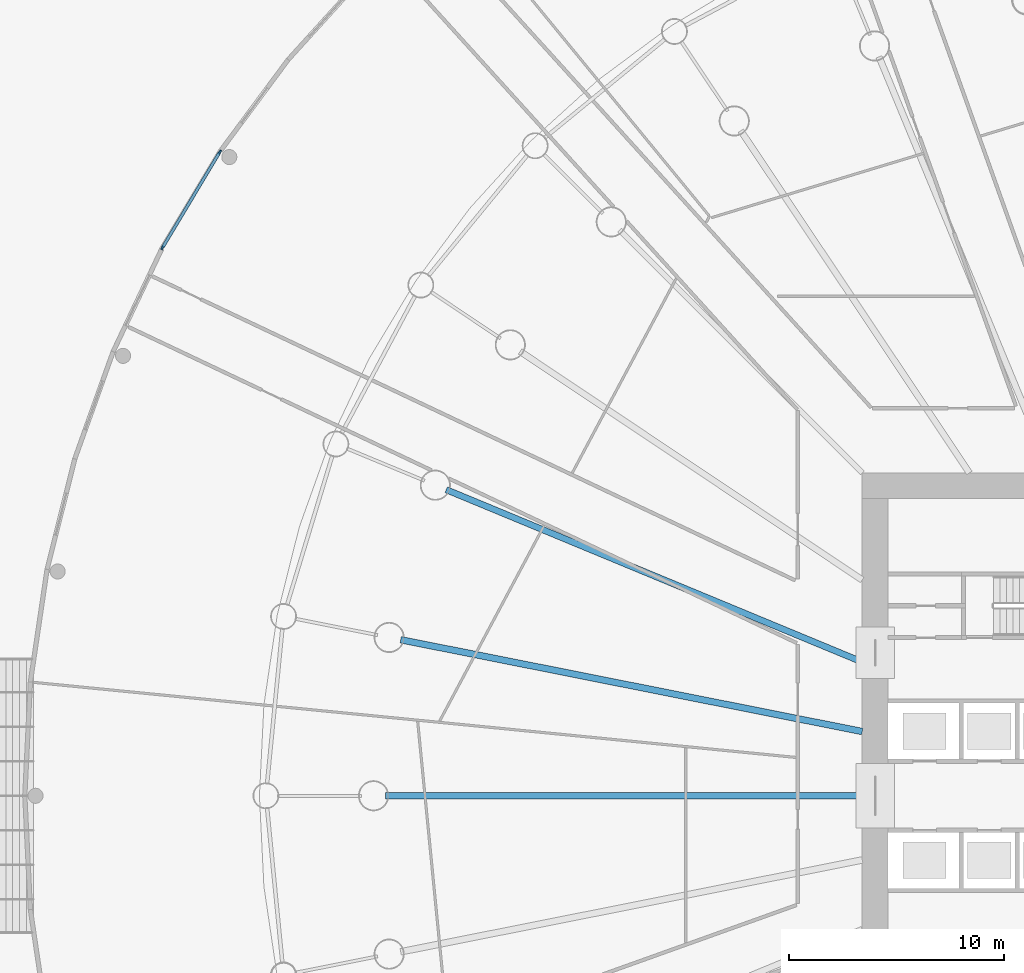
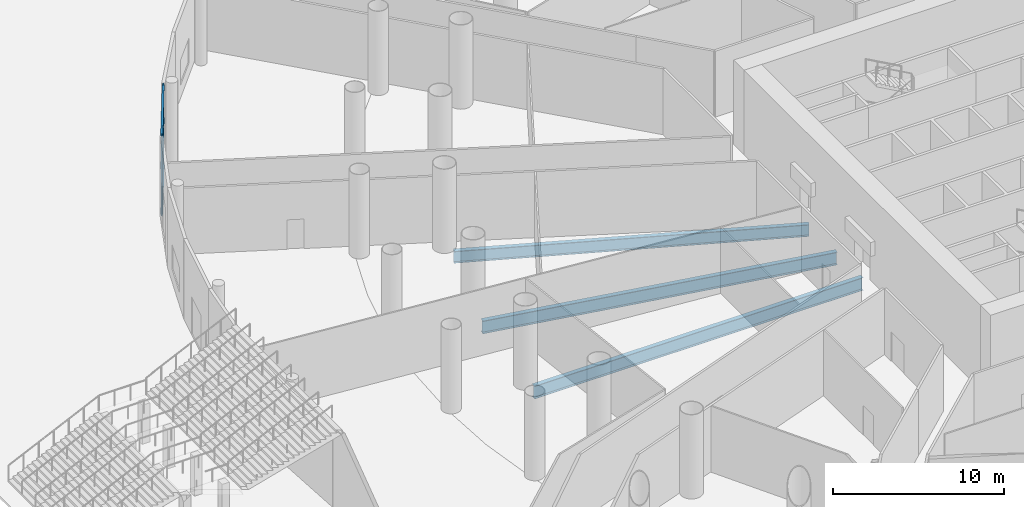
# One storey, part 8 of 33: 5 members, 3 beams, 1 element without a shape of its own.
"""IFC4 building model written with IfcOpenShell, lengths in metres."""

from ifc_helpers import new_model, si_unit, direction, frame, origin, origin_2d, place, context, subcontext, project, spatial, rectangle, i_section, extrude, material, material_profile, profile_set, type_object, element, aggregate, save


model = new_model("IFC4")

# Units and contexts
model_context = context("Model", 3, precision=1e-05, world=origin(), true_north=direction((0.0, 1.0)))
body_context = subcontext(model_context, "Body", "Model", "MODEL_VIEW")
ifc_project = project(units=[si_unit("LENGTHUNIT", "METRE"), si_unit("AREAUNIT", "SQUARE_METRE"), si_unit("VOLUMEUNIT", "CUBIC_METRE"), si_unit("PLANEANGLEUNIT", "RADIAN"), si_unit("MASSUNIT", "GRAM", prefix="KILO")], contexts=[model_context])

# Site, building, storey
site_placement = place(None, origin())
site = spatial("IfcSite", under=ifc_project, at=site_placement, CompositionType="ELEMENT")
building_placement = place(site_placement, origin())
building = spatial("IfcBuilding", under=site, at=building_placement, Name="Corvane Civic Tower", CompositionType="ELEMENT")
storey_placement = place(building_placement, origin())
storey = spatial("IfcBuildingStorey", under=building, at=storey_placement, Name="G", CompositionType="ELEMENT", Elevation=0.0)

# Beams
ifc_material_1 = material(Name="Steel ASTM A992 Gr 50", Category="steel")
ifc_material_profile_1 = material_profile(ifc_material_1, i_section(OverallWidth=0.2919921875, OverallDepth=0.845703125, WebThickness=0.015380859375, FlangeThickness=0.0244140625, at=origin_2d()), Name="W33X141")
ifc_profile_set_1 = profile_set([ifc_material_profile_1], Name="Steel ASTM A992 Gr 50")
beam_type_1 = type_object("IfcBeamType", Name="FLOOR GIRDER W33X141", PredefinedType="BEAM", material=ifc_profile_set_1)
beam_1_placement = place(storey_placement, frame((-15.0, 6.213134765625, -0.722900390625), z_axis=(-0.923875834355, 0.382692360381, 0.0), x_axis=(-0.382692360381, -0.923875834355, 0.0)))
element("IfcBeam", 1, at=beam_1_placement, inside=storey, type_object=beam_type_1, Name="BM-G-G27", PredefinedType="BEAM", context=body_context, shape_type="SweptSolid", body=[
    extrude(i_section(OverallWidth=0.2919921875, OverallDepth=0.845703125, WebThickness=0.015380859375, FlangeThickness=0.0244140625, at=origin_2d()), origin(), (0.0, 0.0, 1.0), 20.9140625),
])
ifc_material_2 = material(Name="Steel ASTM A992 Gr 50", Category="steel")
ifc_material_profile_2 = material_profile(ifc_material_2, i_section(OverallWidth=0.3046875, OverallDepth=0.911865234375, WebThickness=0.015869140625, FlangeThickness=0.02392578125, at=origin_2d()), Name="W36X150")
ifc_profile_set_2 = profile_set([ifc_material_profile_2], Name="Steel ASTM A992 Gr 50")
beam_type_2 = type_object("IfcBeamType", Name="FLOOR GIRDER W36X150", PredefinedType="BEAM", material=ifc_profile_set_2)
beam_2_placement = place(storey_placement, frame((-15.0, 0.0, -0.755859375), z_axis=(-1.0, 0.0, 0.0), x_axis=(0.0, -1.0, 0.0)))
element("IfcBeam", 2, at=beam_2_placement, inside=storey, type_object=beam_type_2, Name="BM-G-G25", PredefinedType="BEAM", context=body_context, shape_type="SweptSolid", body=[
    extrude(i_section(OverallWidth=0.3046875, OverallDepth=0.911865234375, WebThickness=0.015869140625, FlangeThickness=0.02392578125, at=origin_2d()), origin(), (0.0, 0.0, 1.0), 22.14990234375),
])
beam_3_placement = place(storey_placement, frame((-15.0, 2.983642578125, -0.755859375), z_axis=(-0.980785499679, 0.195089219638, 0.0), x_axis=(-0.195089219638, -0.980785499679, 0.0)))
element("IfcBeam", 3, at=beam_3_placement, inside=storey, type_object=beam_type_2, Name="BM-G-G26", PredefinedType="BEAM", context=body_context, shape_type="SweptSolid", body=[
    extrude(i_section(OverallWidth=0.3046875, OverallDepth=0.911865234375, WebThickness=0.015869140625, FlangeThickness=0.02392578125, at=origin_2d()), origin(), (0.0, 0.0, 1.0), 21.856201171875),
])

# Curtain wall, members
ifc_material_3 = material(Name="Aluminium and glass", Category="aluminium")
curtain_wall_type = type_object("IfcCurtainWallType", Name="PODIUM-CW-L-RUN", PredefinedType="NOTDEFINED", material=ifc_material_3)
curtain_wall_placement = place(storey_placement, origin())
curtain_wall = element("IfcCurtainWall", 4, at=curtain_wall_placement, inside=storey, type_object=curtain_wall_type, Name="PODI run G-plinth-27B", PredefinedType="NOTDEFINED")
ifc_material_4 = material(Name="Anodised aluminium bronze", Category="aluminium")
ifc_material_profile_3 = material_profile(ifc_material_4, rectangle(XDim=0.080078125, YDim=0.199951171875, at=origin_2d()), Name="AL 80x200")
ifc_profile_set_3 = profile_set([ifc_material_profile_3], Name="Anodised aluminium bronze")
member_type_1 = type_object("IfcMemberType", Name="PODIUM-CWL-MULLION-80x200", PredefinedType="MULLION", material=ifc_profile_set_3)
member_1_placement = place(storey_placement, frame((-47.507080078125, 25.455322265625, 0.0), z_axis=(0.0, 0.0, 1.0), x_axis=(-0.857732742245, 0.514095849896, 0.0)))
member_1 = element("IfcMember", 5, at=member_1_placement, type_object=member_type_1, Name="CW-L mullion 1", PredefinedType="MULLION", context=body_context, shape_type="SweptSolid", body=[
    extrude(rectangle(XDim=0.080078125, YDim=0.199951171875, at=origin_2d()), origin(), (0.0, 0.0, 1.0), 5.699951171875),
])
member_2_placement = place(storey_placement, frame((-44.844482421875, 29.89794921875, 0.0), z_axis=(0.0, 0.0, 1.0), x_axis=(-0.857732742245, 0.514095849896, 0.0)))
member_2 = element("IfcMember", 6, at=member_2_placement, type_object=member_type_1, Name="CW-L mullion 2", PredefinedType="MULLION", context=body_context, shape_type="SweptSolid", body=[
    extrude(rectangle(XDim=0.080078125, YDim=0.199951171875, at=origin_2d()), origin(), (0.0, 0.0, 1.0), 5.699951171875),
])
ifc_material_5 = material(Name="Anodised aluminium bronze", Category="aluminium")
ifc_material_profile_4 = material_profile(ifc_material_5, rectangle(XDim=0.139892578125, YDim=0.080078125, at=origin_2d()), Name="AL 140x80")
ifc_profile_set_4 = profile_set([ifc_material_profile_4], Name="Anodised aluminium bronze")
member_type_2 = type_object("IfcMemberType", Name="PODIUM-CWL-TRANSOM-80x140", PredefinedType="USERDEFINED", material=ifc_profile_set_4)
member_3_placement = place(storey_placement, frame((-47.486572265625, 25.48974609375, 0.0400390625), z_axis=(0.514108458581, 0.857725184902, 0.0), x_axis=(-0.857725184902, 0.514108458581, 0.0)))
member_3 = element("IfcMember", 7, at=member_3_placement, type_object=member_type_2, Name="CW-L transom 1.1", ObjectType="TRANSOM", PredefinedType="USERDEFINED", context=body_context, shape_type="SweptSolid", body=[
    extrude(rectangle(XDim=0.139892578125, YDim=0.080078125, at=origin_2d()), origin(), (0.0, 0.0, 1.0), 5.099365234375),
])
member_4_placement = place(storey_placement, frame((-47.486572265625, 25.48974609375, 3.300048828125), z_axis=(0.514108458581, 0.857725184902, 0.0), x_axis=(-0.857725184902, 0.514108458581, 0.0)))
member_4 = element("IfcMember", 8, at=member_4_placement, type_object=member_type_2, Name="CW-L transom 1.2", ObjectType="TRANSOM", PredefinedType="USERDEFINED", context=body_context, shape_type="SweptSolid", body=[
    extrude(rectangle(XDim=0.139892578125, YDim=0.080078125, at=origin_2d()), origin(), (0.0, 0.0, 1.0), 5.099365234375),
])
member_5_placement = place(storey_placement, frame((-47.486572265625, 25.48974609375, 5.659912109375), z_axis=(0.514108458581, 0.857725184902, 0.0), x_axis=(-0.857725184902, 0.514108458581, 0.0)))
member_5 = element("IfcMember", 9, at=member_5_placement, type_object=member_type_2, Name="CW-L transom 1.3", ObjectType="TRANSOM", PredefinedType="USERDEFINED", context=body_context, shape_type="SweptSolid", body=[
    extrude(rectangle(XDim=0.139892578125, YDim=0.080078125, at=origin_2d()), origin(), (0.0, 0.0, 1.0), 5.099365234375),
])
aggregate(curtain_wall, [member_1, member_2, member_3, member_4, member_5])

save(model, "model.ifc")
